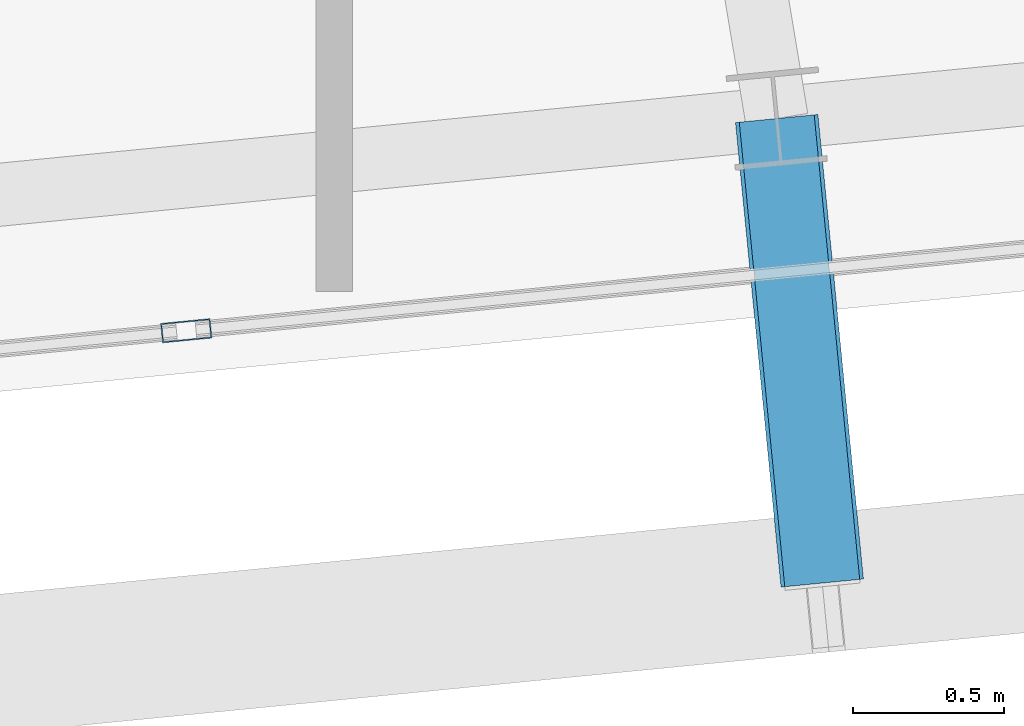
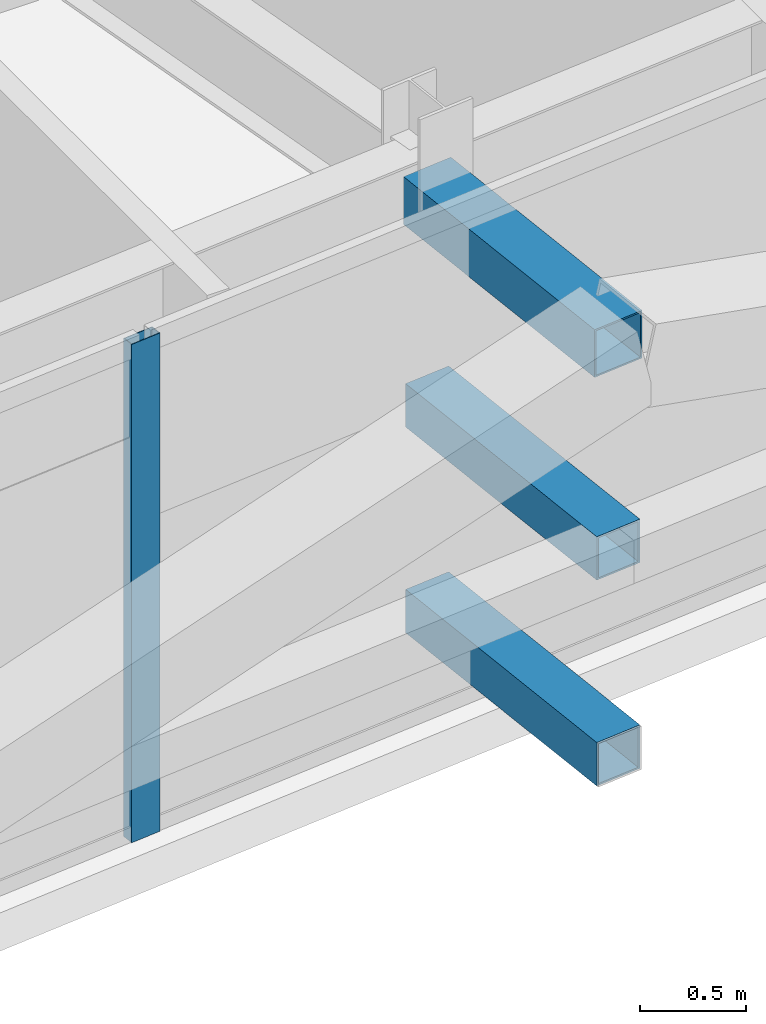
# One storey, part 15 of 47: 4 members, 1 element without a shape of its own.
"""IFC4 building model written with IfcOpenShell, lengths in metres."""

from ifc_helpers import new_model, si_unit, direction, frame, origin, origin_2d, place, context, subcontext, project, spatial, hollow_rectangle, extrude, source, transform, mapped, material, layer, layer_set, material_profile, profile_set, type_object, element, aggregate, save


model = new_model("IFC4")

# Units and contexts
model_context = context("Model", 3, precision=1e-05, world=origin(), true_north=direction((0.0, 1.0)))
body_context = subcontext(model_context, "Body", "Model", "MODEL_VIEW")
ifc_project = project(units=[si_unit("LENGTHUNIT", "METRE"), si_unit("AREAUNIT", "SQUARE_METRE"), si_unit("VOLUMEUNIT", "CUBIC_METRE"), si_unit("PLANEANGLEUNIT", "RADIAN"), si_unit("MASSUNIT", "GRAM", prefix="KILO")], contexts=[model_context])

# Site, building, storey
site_placement = place(None, origin())
site = spatial("IfcSite", under=ifc_project, at=site_placement, CompositionType="ELEMENT")
building_placement = place(site_placement, origin())
building = spatial("IfcBuilding", under=site, at=building_placement, Name="Taldren Reach Tower", CompositionType="ELEMENT")
storey_placement = place(building_placement, frame((0.0, 0.0, 109.199951171875)))
storey = spatial("IfcBuildingStorey", under=building, at=storey_placement, Name="L33", CompositionType="ELEMENT", Elevation=109.199951171875)

# Members
ifc_material_1 = material(Name="Steel Gr 450 (C450L0)", Category="steel")
ifc_material_profile_1 = material_profile(ifc_material_1, hollow_rectangle(XDim=0.27490234375, YDim=0.27490234375, WallThickness=0.00927734375, at=origin_2d()), Name="275x275x9.3SHS")
ifc_profile_set_1 = profile_set([ifc_material_profile_1], Name="Steel Gr 450 (C450L0)")
member_type_1 = type_object("IfcMemberType", Name="MB-TIE273", PredefinedType="STRUT", material=ifc_profile_set_1)
shared_shape_1 = source(origin(), body_context, "Body", "SweptSolid", [
    extrude(hollow_rectangle(XDim=0.27490234375, YDim=0.27490234375, WallThickness=0.00927734375, at=origin_2d()), origin(), (0.0, 0.0, 1.0), 1.5498046875),
])
member_1_placement = place(storey_placement, frame((53.469482421875, 3.698486328125, 2.590087890625), z_axis=(0.097507178627, -0.995234821595, 0.0), x_axis=(0.995234821595, 0.097507178627, 0.0)))
element("IfcMember", 1, at=member_1_placement, inside=storey, type_object=member_type_1, Name="Exoskeleton diaphragm tie strut B2-S5 L33", PredefinedType="STRUT", context=body_context, shape_type="MappedRepresentation", body=[
    mapped(shared_shape_1, transform((0.0, 0.0, 0.0), scale=1.0)),
])
ifc_material_2 = material(Name="Steel Gr 350 (C350L0)", Category="steel")
ifc_material_profile_2 = material_profile(ifc_material_2, hollow_rectangle(XDim=0.25, YDim=0.25, WallThickness=0.010009765625, at=origin_2d()), Name="250x250x10.0SHS")
ifc_profile_set_2 = profile_set([ifc_material_profile_2], Name="Steel Gr 350 (C350L0)")
member_type_2 = type_object("IfcMemberType", Name="MB-POST250", PredefinedType="POST", material=ifc_profile_set_2)
shared_shape_2 = source(origin(), body_context, "Body", "SweptSolid", [
    extrude(hollow_rectangle(XDim=0.25, YDim=0.25, WallThickness=0.010009765625, at=origin_2d()), origin(), (0.0, 0.0, 1.0), 1.5498046875),
])
for number, where, z_axis, x_axis, name in (
    (2, (53.469482421875, 3.698486328125, 0.219970703125), (0.097507178627, -0.995234821595, 0.0), (0.995234821595, 0.097507178627, 0.0), "Exoskeleton base diaphragm tie strut B2-S5 L33"),
    (3, (53.469482421875, 3.698486328125, 1.405029296875), (0.097507178627, -0.995234821595, 0.0), (0.995234821595, 0.097507178627, 0.0), "Exoskeleton mid-tier diaphragm tie B2-S5 L33"),
):
    element("IfcMember", number, at=place(storey_placement, frame(where, z_axis=z_axis, x_axis=x_axis)), inside=storey, type_object=member_type_2, Name=name, PredefinedType="POST", context=body_context, shape_type="MappedRepresentation", body=[
        mapped(shared_shape_2, transform((0.0, 0.0, 0.0), scale=1.0)),
    ])

# Curtain wall, member
ifc_material_3 = material(Name="Aluminium and Low-E Glass Unitised System", Category="aluminium")
ifc_layer = layer(ifc_material_3, 0.159912109375)
ifc_layer_set = layer_set([ifc_layer], Name="Aluminium and Low-E Glass Unitised System")
curtain_wall_type = type_object("IfcCurtainWallType", Name="CW-SYS-3", PredefinedType="NOTDEFINED", material=ifc_layer_set)
curtain_wall_placement = place(storey_placement, origin())
curtain_wall = element("IfcCurtainWall", 4, at=curtain_wall_placement, inside=storey, type_object=curtain_wall_type, Name="Unitised curtain wall CW-L33-S", PredefinedType="NOTDEFINED")
ifc_material_4 = material(Name="Anodised Aluminium 6063-T6", Category="aluminium")
ifc_material_profile_3 = material_profile(ifc_material_4, hollow_rectangle(XDim=0.06494140625, YDim=0.1650390625, WallThickness=0.00390625, at=origin_2d()), Name="ALU-165x65x4RHS")
ifc_profile_set_3 = profile_set([ifc_material_profile_3], Name="Anodised Aluminium 6063-T6")
member_type_3 = type_object("IfcMemberType", Name="CW-MUL-165", PredefinedType="MULLION", material=ifc_profile_set_3)
shared_shape_3 = source(origin(), body_context, "Body", "SweptSolid", [
    extrude(hollow_rectangle(XDim=0.06494140625, YDim=0.1650390625, WallThickness=0.00390625, at=origin_2d()), origin(), (0.0, 0.0, 1.0), 2.8701171875),
])
member_2_placement = place(storey_placement, frame((51.5087890625, 2.993896484375, 0.0), z_axis=(0.0, 0.0, 1.0), x_axis=(-0.097582999046, 0.995227390247, 0.0)))
member_2 = element("IfcMember", 5, at=member_2_placement, type_object=member_type_3, Name="CW-3 mullion 4", PredefinedType="MULLION", context=body_context, shape_type="MappedRepresentation", body=[
    mapped(shared_shape_3, transform((0.0, 0.0, 0.0), scale=1.0)),
])
aggregate(curtain_wall, [member_2])

save(model, "model.ifc")
